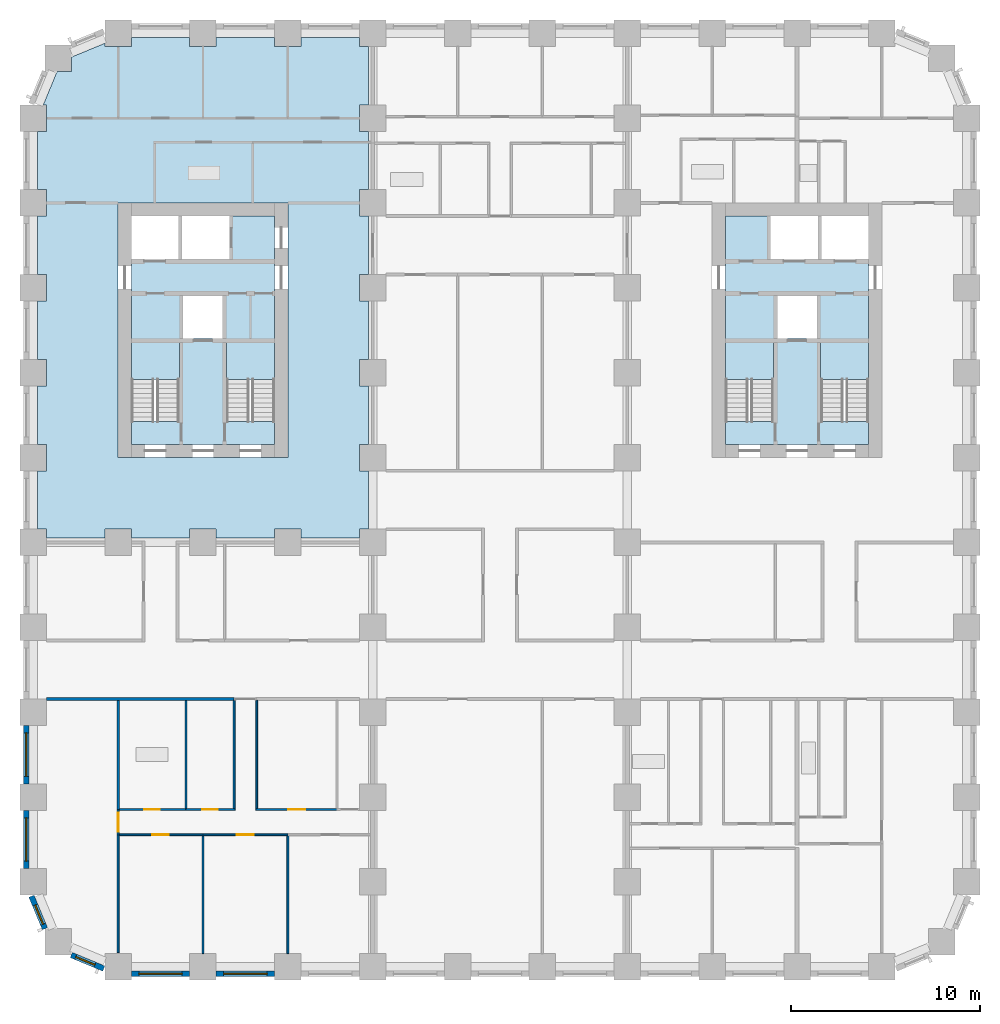
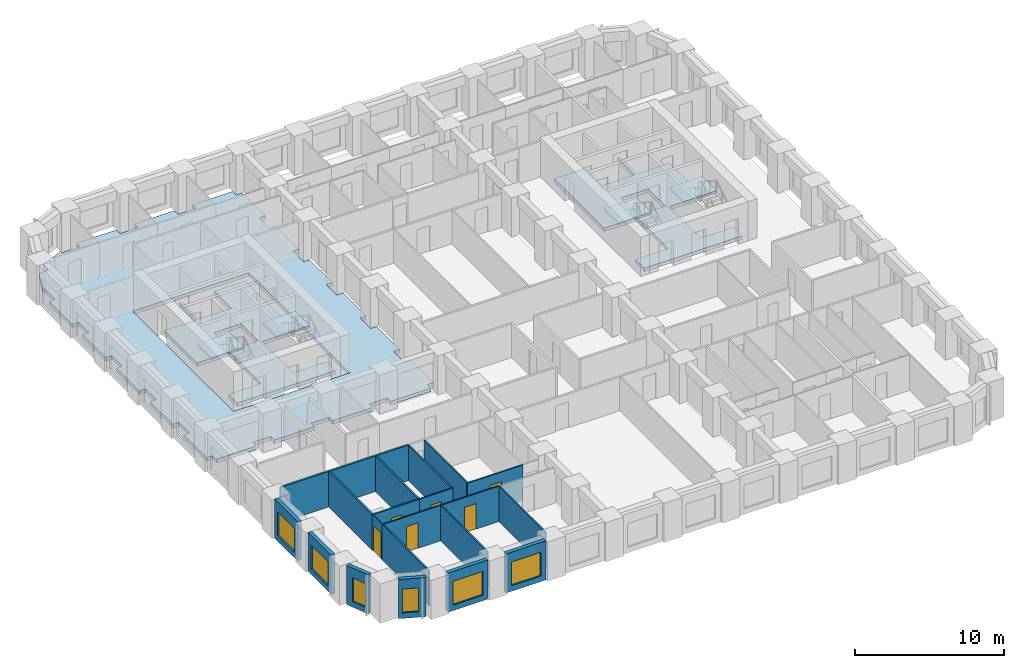
# One storey, part 2 of 13: 20 walls, 7 slabs, 6 doors, 6 windows, 12 openings, 4 elements without a shape of their own.
"""IFC4 building model written with IfcOpenShell, lengths in metres."""

from ifc_helpers import new_model, si_unit, direction, frame, frame_2d, origin, place, context, subcontext, project, spatial, polyline, rectangle, outline, extrude, material, layer, layer_set, type_object, element, fill, aggregate, save


model = new_model("IFC4")

# Units and contexts
model_context = context("Model", 3, precision=1e-05, world=origin(), true_north=direction((0.0, 1.0)))
body_context = subcontext(model_context, "Body", "Model", "MODEL_VIEW")
ifc_project = project(units=[si_unit("LENGTHUNIT", "METRE"), si_unit("AREAUNIT", "SQUARE_METRE"), si_unit("VOLUMEUNIT", "CUBIC_METRE"), si_unit("PLANEANGLEUNIT", "RADIAN"), si_unit("MASSUNIT", "GRAM", prefix="KILO")], contexts=[model_context])

# Site, building, storey
site_placement = place(None, origin())
site = spatial("IfcSite", under=ifc_project, at=site_placement, CompositionType="ELEMENT")
building_placement = place(site_placement, origin())
building = spatial("IfcBuilding", under=site, at=building_placement, Name="Girih Gate Residences", CompositionType="ELEMENT")
storey_placement = place(building_placement, frame((0.0, 0.0, 49.60009765625)))
storey = spatial("IfcBuildingStorey", under=building, at=storey_placement, Name="L12", CompositionType="ELEMENT", Elevation=49.60009765625)

# Slabs
ifc_material_1 = material(Name="Concrete C40/50", Category="concrete")
ifc_layer_1 = layer(ifc_material_1, 0.300048828125)
ifc_layer_set_1 = layer_set([ifc_layer_1], Name="Core floor slab 300")
slab_type_1 = type_object("IfcSlabType", Name="Core floor slab 300", PredefinedType="FLOOR", material=ifc_layer_set_1)
slab_1_placement = place(storey_placement, frame((0.0, 0.0, -0.300048828125)))
element("IfcSlab", 1, at=slab_1_placement, inside=storey, type_object=slab_type_1, Name="L12 W core floor", PredefinedType="FLOOR", context=body_context, shape_type="SweptSolid", body=[
    extrude(outline(polyline([(12.800048828125, 27.699951171875), (5.199951171875, 27.699951171875), (5.199951171875, 28.900634765625), (7.75, 28.900634765625), (7.75, 33.10009765625), (5.199951171875, 33.10009765625), (5.199951171875, 37.5), (7.699951171875, 37.5), (7.699951171875, 39.800048828125), (7.89990234375, 39.800048828125), (7.89990234375, 37.5), (10.39990234375, 37.5), (10.39990234375, 39.800048828125), (12.800048828125, 39.800048828125), (12.800048828125, 33.10009765625), (10.25, 33.10009765625), (10.25, 28.900634765625), (12.800048828125, 28.900634765625), (12.800048828125, 27.699951171875)]), holes=[polyline([(7.949951171875, 33.300048828125), (10.050048828125, 33.300048828125), (10.050048828125, 35.60009765625), (7.949951171875, 35.60009765625), (7.949951171875, 33.300048828125)])]), origin(), (0.0, 0.0, 1.0), 0.300048828125),
])
slab_2_placement = place(storey_placement, frame((0.0, 0.0, -0.300048828125)))
element("IfcSlab", 2, at=slab_2_placement, inside=storey, type_object=slab_type_1, Name="L12 E core floor", PredefinedType="FLOOR", context=body_context, shape_type="SweptSolid", body=[
    extrude(outline(polyline([(44.300048828125, 27.699951171875), (36.699951171875, 27.699951171875), (36.699951171875, 28.900634765625), (39.25, 28.900634765625), (39.25, 33.10009765625), (36.699951171875, 33.10009765625), (36.699951171875, 39.800048828125), (39.10009765625, 39.800048828125), (39.10009765625, 37.5), (41.60009765625, 37.5), (41.60009765625, 39.800048828125), (41.800048828125, 39.800048828125), (41.800048828125, 37.5), (44.300048828125, 37.5), (44.300048828125, 33.10009765625), (41.75, 33.10009765625), (41.75, 28.900634765625), (44.300048828125, 28.900634765625), (44.300048828125, 27.699951171875)]), holes=[polyline([(39.449951171875, 33.300048828125), (41.550048828125, 33.300048828125), (41.550048828125, 35.60009765625), (39.449951171875, 35.60009765625), (39.449951171875, 33.300048828125)])]), origin(), (0.0, 0.0, 1.0), 0.300048828125),
])
ifc_layer_2 = layer(ifc_material_1, 0.300048828125)
ifc_layer_set_2 = layer_set([ifc_layer_2], Name="Floor slab PT 300 Concrete C40/50")
slab_type_2 = type_object("IfcSlabType", Name="Floor slab PT 300 Concrete C40/50", PredefinedType="FLOOR", material=ifc_layer_set_2)
slab_3_placement = place(storey_placement, frame((0.0, 0.0, -0.300048828125)))
element("IfcSlab", 3, at=slab_3_placement, inside=storey, type_object=slab_type_2, Name="Floor slab L12 3", PredefinedType="FLOOR", context=body_context, shape_type="SweptSolid", body=[
    extrude(outline(polyline([(0.22509765625, 26.300048828125), (0.22509765625, 23.199951171875), (0.699951171875, 23.199951171875), (0.699951171875, 22.72509765625), (3.800048828125, 22.72509765625), (3.800048828125, 23.199951171875), (5.199951171875, 23.199951171875), (5.199951171875, 22.72509765625), (8.300048828125, 22.72509765625), (8.300048828125, 23.199951171875), (9.699951171875, 23.199951171875), (9.699951171875, 22.72509765625), (12.800048828125, 22.72509765625), (12.800048828125, 23.199951171875), (14.199951171875, 23.199951171875), (14.199951171875, 22.72509765625), (17.300048828125, 22.72509765625), (17.300048828125, 23.199951171875), (17.77490234375, 23.199951171875), (17.77490234375, 26.300048828125), (17.300048828125, 26.300048828125), (17.300048828125, 27.699951171875), (17.77490234375, 27.699951171875), (17.77490234375, 30.800048828125), (17.300048828125, 30.800048828125), (17.300048828125, 32.199951171875), (17.77490234375, 32.199951171875), (17.77490234375, 35.300048828125), (17.300048828125, 35.300048828125), (17.300048828125, 36.699951171875), (17.77490234375, 36.699951171875), (17.77490234375, 39.800048828125), (17.300048828125, 39.800048828125), (17.300048828125, 41.199951171875), (17.77490234375, 41.199951171875), (17.77490234375, 44.300048828125), (17.300048828125, 44.300048828125), (17.300048828125, 45.699951171875), (17.77490234375, 45.699951171875), (17.77490234375, 48.800048828125), (17.300048828125, 48.800048828125), (17.300048828125, 49.27490234375), (14.199951171875, 49.27490234375), (14.199951171875, 48.800048828125), (12.800048828125, 48.800048828125), (12.800048828125, 49.27490234375), (9.699951171875, 49.27490234375), (9.699951171875, 48.800048828125), (8.300048828125, 48.800048828125), (8.300048828125, 49.27490234375), (5.199951171875, 49.27490234375), (5.199951171875, 48.800048828125), (3.800048828125, 48.800048828125), (3.800048828125, 48.966552734375), (2.01806640625, 48.228271484375), (2.01806640625, 47.48193359375), (1.271728515625, 47.48193359375), (0.533447265625, 45.699951171875), (0.699951171875, 45.699951171875), (0.699951171875, 44.300048828125), (0.22509765625, 44.300048828125), (0.22509765625, 41.199951171875), (0.699951171875, 41.199951171875), (0.699951171875, 39.800048828125), (0.22509765625, 39.800048828125), (0.22509765625, 36.699951171875), (0.699951171875, 36.699951171875), (0.699951171875, 35.300048828125), (0.22509765625, 35.300048828125), (0.22509765625, 32.199951171875), (0.699951171875, 32.199951171875), (0.699951171875, 30.800048828125), (0.22509765625, 30.800048828125), (0.22509765625, 27.699951171875), (0.699951171875, 27.699951171875), (0.699951171875, 26.300048828125), (0.22509765625, 26.300048828125)]), holes=[polyline([(13.5, 40.5), (13.5, 27.0), (4.5, 27.0), (4.5, 40.5), (13.5, 40.5)])]), origin(), (0.0, 0.0, 1.0), 0.300048828125),
])

# Stair, slab
stair_type = type_object("IfcStairType", Name="Exit stair", PredefinedType="HALF_TURN_STAIR", material=ifc_material_1)
stair_1_placement = place(storey_placement, origin())
stair_1 = element("IfcStair", 4, at=stair_1_placement, inside=storey, type_object=stair_type, Name="L12 Exit Stair ST-W1", PredefinedType="HALF_TURN_STAIR")
ifc_layer_3 = layer(ifc_material_1, 0.199951171875)
ifc_layer_set_3 = layer_set([ifc_layer_3], Name="Stair landing 200")
slab_type_3 = type_object("IfcSlabType", Name="Stair landing 200", PredefinedType="LANDING", material=ifc_layer_set_3)
slab_4_placement = place(storey_placement, frame((0.0, 0.0, 1.39990234375)))
slab_4 = element("IfcSlab", 5, at=slab_4_placement, type_object=slab_type_3, Name="ST-W1 landing 1", PredefinedType="LANDING", context=body_context, shape_type="SweptSolid", body=[
    extrude(outline(polyline([(7.75, 31.14990234375), (7.75, 33.10009765625), (5.199951171875, 33.10009765625), (5.199951171875, 31.14990234375), (7.75, 31.14990234375)])), origin(), (0.0, 0.0, 1.0), 0.199951171875),
])
aggregate(stair_1, [slab_4])

stair_2_placement = place(storey_placement, origin())
stair_2 = element("IfcStair", 6, at=stair_2_placement, inside=storey, type_object=stair_type, Name="L12 Exit Stair ST-W2", PredefinedType="HALF_TURN_STAIR")
slab_5_placement = place(storey_placement, frame((0.0, 0.0, 1.39990234375)))
slab_5 = element("IfcSlab", 7, at=slab_5_placement, type_object=slab_type_3, Name="ST-W2 landing 1", PredefinedType="LANDING", context=body_context, shape_type="SweptSolid", body=[
    extrude(outline(polyline([(12.800048828125, 31.14990234375), (12.800048828125, 33.10009765625), (10.25, 33.10009765625), (10.25, 31.14990234375), (12.800048828125, 31.14990234375)])), origin(), (0.0, 0.0, 1.0), 0.199951171875),
])
aggregate(stair_2, [slab_5])

stair_3_placement = place(storey_placement, origin())
stair_3 = element("IfcStair", 8, at=stair_3_placement, inside=storey, type_object=stair_type, Name="L12 Exit Stair ST-E1", PredefinedType="HALF_TURN_STAIR")
slab_6_placement = place(storey_placement, frame((0.0, 0.0, 1.39990234375)))
slab_6 = element("IfcSlab", 9, at=slab_6_placement, type_object=slab_type_3, Name="ST-E1 landing 1", PredefinedType="LANDING", context=body_context, shape_type="SweptSolid", body=[
    extrude(outline(polyline([(44.300048828125, 31.14990234375), (44.300048828125, 33.10009765625), (41.75, 33.10009765625), (41.75, 31.14990234375), (44.300048828125, 31.14990234375)])), origin(), (0.0, 0.0, 1.0), 0.199951171875),
])
aggregate(stair_3, [slab_6])

stair_4_placement = place(storey_placement, origin())
stair_4 = element("IfcStair", 10, at=stair_4_placement, inside=storey, type_object=stair_type, Name="L12 Exit Stair ST-E2", PredefinedType="HALF_TURN_STAIR")
slab_7_placement = place(storey_placement, frame((0.0, 0.0, 1.39990234375)))
slab_7 = element("IfcSlab", 11, at=slab_7_placement, type_object=slab_type_3, Name="ST-E2 landing 1", PredefinedType="LANDING", context=body_context, shape_type="SweptSolid", body=[
    extrude(outline(polyline([(39.25, 31.14990234375), (39.25, 33.10009765625), (36.699951171875, 33.10009765625), (36.699951171875, 31.14990234375), (39.25, 31.14990234375)])), origin(), (0.0, 0.0, 1.0), 0.199951171875),
])
aggregate(stair_4, [slab_7])

# Walls
ifc_material_2 = material(Name="Gypsum board on steel studs", Category="steel")
ifc_layer_4 = layer(ifc_material_2, 0.14990234375)
ifc_layer_set_4 = layer_set([ifc_layer_4], Name="Compartment wall 150 mm")
wall_type_1 = type_object("IfcWallType", Name="Compartment wall 150 mm", PredefinedType="PARTITIONING", material=ifc_layer_set_4)
wall_1_placement = place(storey_placement, frame((0.699951171875, 14.199951171875, 0.0), z_axis=(0.0, 0.0, 1.0), x_axis=(1.0, 0.0, 0.0)))
element("IfcWall", 12, at=wall_1_placement, inside=storey, type_object=wall_type_1, Name="L12 partition", PredefinedType="PARTITIONING", context=body_context, shape_type="SweptSolid", body=[
    extrude(rectangle(XDim=9.949951171875, YDim=0.14990234375, at=frame_2d((4.97509765625, 0.0))), origin(), (0.0, 0.0, 1.0), 2.89990234375),
])
ifc_layer_5 = layer(ifc_material_2, 0.10009765625)
ifc_layer_set_5 = layer_set([ifc_layer_5], Name="Partition 100 mm")
wall_type_2 = type_object("IfcWallType", Name="Partition 100 mm", PredefinedType="PARTITIONING", material=ifc_layer_set_5)
wall_2_placement = place(storey_placement, frame((9.0, 0.699951171875, 0.0), z_axis=(0.0, 0.0, 1.0), x_axis=(0.0, 1.0, 0.0)))
element("IfcWall", 13, at=wall_2_placement, inside=storey, type_object=wall_type_2, Name="L12 partition", PredefinedType="PARTITIONING", context=body_context, shape_type="SweptSolid", body=[
    extrude(rectangle(XDim=6.25, YDim=0.10009765625, at=frame_2d((3.125, 0.0))), origin(), (0.0, 0.0, 1.0), 2.89990234375),
])

# Wall, opening, door
wall_3_placement = place(storey_placement, frame((9.0, 7.0, 0.0), z_axis=(0.0, 0.0, 1.0), x_axis=(-1.0, 0.0, 0.0)))
wall_3 = element("IfcWall", 14, at=wall_3_placement, inside=storey, type_object=wall_type_2, Name="L12 partition", PredefinedType="PARTITIONING", context=body_context, shape_type="SweptSolid", body=[
    extrude(rectangle(XDim=4.449951171875, YDim=0.10009765625, at=frame_2d((2.22509765625, 0.0))), origin(), (0.0, 0.0, 1.0), 2.89990234375),
])
opening_1_placement = place(wall_3_placement, frame((1.800048828125, 0.0, 0.0)))
opening_1 = element("IfcOpeningElement", 15, at=opening_1_placement, cuts=wall_3, Name="Opening A12-002", PredefinedType="OPENING", context=body_context, shape_type="SweptSolid", body=[
    extrude(rectangle(XDim=0.89990234375, YDim=2.10009765625, at=frame_2d((0.449951171875, 1.050048828125))), frame((0.0, 0.06005859375, 0.0), z_axis=(0.0, -1.0, 0.0), x_axis=(1.0, 0.0, 0.0)), (0.0, 0.0, 1.0), 0.1201171875),
])
ifc_material_3 = material(Name="Timber", Category="wood")
door_type_1 = type_object("IfcDoorType", Name="Bedroom door 900x2100", OperationType="NOTDEFINED", PredefinedType="DOOR", material=ifc_material_3)
door_1_placement = place(opening_1_placement, origin())
door_1 = element("IfcDoor", 16, at=door_1_placement, inside=storey, type_object=door_type_1, Name="Door A12-002", OperationType="SINGLE_SWING_RIGHT", OverallHeight=2.10009765625, OverallWidth=0.89990234375, PredefinedType="DOOR", context=body_context, shape_type="SweptSolid", body=[
    extrude(rectangle(XDim=0.89990234375, YDim=2.10009765625, at=frame_2d((0.449951171875, 1.050048828125))), frame((0.0, 0.02490234375, 0.0), z_axis=(0.0, -1.0, 0.0), x_axis=(1.0, 0.0, 0.0)), (0.0, 0.0, 1.0), 0.050048828125),
])
fill(opening_1, door_1)

# Walls
wall_4_placement = place(storey_placement, frame((4.5, 0.757568359375, 0.0), z_axis=(0.0, 0.0, 1.0), x_axis=(0.0, 1.0, 0.0)))
element("IfcWall", 17, at=wall_4_placement, inside=storey, type_object=wall_type_2, Name="L12 partition", PredefinedType="PARTITIONING", context=body_context, shape_type="SweptSolid", body=[
    extrude(rectangle(XDim=6.242431640625, YDim=0.10009765625, at=frame_2d((3.12109375, 0.0))), origin(), (0.0, 0.0, 1.0), 2.89990234375),
])
wall_5_placement = place(storey_placement, frame((13.5, 0.699951171875, 0.0), z_axis=(0.0, 0.0, 1.0), x_axis=(0.0, 1.0, 0.0)))
element("IfcWall", 18, at=wall_5_placement, inside=storey, type_object=wall_type_2, Name="L12 partition", PredefinedType="PARTITIONING", context=body_context, shape_type="SweptSolid", body=[
    extrude(rectangle(XDim=6.25, YDim=0.10009765625, at=frame_2d((3.125, 0.0))), origin(), (0.0, 0.0, 1.0), 2.89990234375),
])

# Wall, opening, door
wall_6_placement = place(storey_placement, frame((13.5, 7.0, 0.0), z_axis=(0.0, 0.0, 1.0), x_axis=(-1.0, 0.0, 0.0)))
wall_6 = element("IfcWall", 19, at=wall_6_placement, inside=storey, type_object=wall_type_2, Name="L12 partition", PredefinedType="PARTITIONING", context=body_context, shape_type="SweptSolid", body=[
    extrude(rectangle(XDim=4.5, YDim=0.10009765625, at=frame_2d((2.25, 0.0))), origin(), (0.0, 0.0, 1.0), 2.89990234375),
])
opening_2_placement = place(wall_6_placement, frame((1.800048828125, 0.0, 0.0)))
opening_2 = element("IfcOpeningElement", 20, at=opening_2_placement, cuts=wall_6, Name="Opening A12-003", PredefinedType="OPENING", context=body_context, shape_type="SweptSolid", body=[
    extrude(rectangle(XDim=0.89990234375, YDim=2.10009765625, at=frame_2d((0.449951171875, 1.050048828125))), frame((0.0, 0.06005859375, 0.0), z_axis=(0.0, -1.0, 0.0), x_axis=(1.0, 0.0, 0.0)), (0.0, 0.0, 1.0), 0.1201171875),
])
door_2_placement = place(opening_2_placement, origin())
door_2 = element("IfcDoor", 21, at=door_2_placement, inside=storey, type_object=door_type_1, Name="Door A12-003", OperationType="SINGLE_SWING_LEFT", OverallHeight=2.10009765625, OverallWidth=0.89990234375, PredefinedType="DOOR", context=body_context, shape_type="SweptSolid", body=[
    extrude(rectangle(XDim=0.89990234375, YDim=2.10009765625, at=frame_2d((0.449951171875, 1.050048828125))), frame((0.0, 0.02490234375, 0.0), z_axis=(0.0, -1.0, 0.0), x_axis=(1.0, 0.0, 0.0)), (0.0, 0.0, 1.0), 0.050048828125),
])
fill(opening_2, door_2)

# Wall
wall_7_placement = place(storey_placement, frame((11.85009765625, 8.389892578125, 0.0), z_axis=(0.0, 0.0, 1.0), x_axis=(0.0, 1.0, 0.0)))
element("IfcWall", 22, at=wall_7_placement, inside=storey, type_object=wall_type_2, Name="L12 partition", PredefinedType="PARTITIONING", context=body_context, shape_type="SweptSolid", body=[
    extrude(rectangle(XDim=5.735107421875, YDim=0.10009765625, at=frame_2d((2.86767578125, 0.0))), origin(), (0.0, 0.0, 1.0), 2.89990234375),
])

# Wall, opening, door
wall_8_placement = place(storey_placement, frame((11.800048828125, 8.340087890625, 0.0), z_axis=(0.0, 0.0, 1.0), x_axis=(1.0, 0.0, 0.0)))
wall_8 = element("IfcWall", 23, at=wall_8_placement, inside=storey, type_object=wall_type_2, Name="L12 partition", PredefinedType="PARTITIONING", context=body_context, shape_type="SweptSolid", body=[
    extrude(rectangle(XDim=4.307373046875, YDim=0.10009765625, at=frame_2d((2.15380859375, 0.0))), origin(), (0.0, 0.0, 1.0), 2.89990234375),
])
opening_3_placement = place(wall_8_placement, frame((1.728759765625, 0.0, 0.0)))
opening_3 = element("IfcOpeningElement", 24, at=opening_3_placement, cuts=wall_8, Name="Opening A12-005", PredefinedType="OPENING", context=body_context, shape_type="SweptSolid", body=[
    extrude(rectangle(XDim=0.89990234375, YDim=2.10009765625, at=frame_2d((0.449951171875, 1.050048828125))), frame((0.0, 0.06005859375, 0.0), z_axis=(0.0, -1.0, 0.0), x_axis=(1.0, 0.0, 0.0)), (0.0, 0.0, 1.0), 0.1201171875),
])
door_type_2 = type_object("IfcDoorType", Name="Kitchen door 900x2100", OperationType="NOTDEFINED", PredefinedType="DOOR", material=ifc_material_3)
door_3_placement = place(opening_3_placement, origin())
door_3 = element("IfcDoor", 25, at=door_3_placement, inside=storey, type_object=door_type_2, Name="Door A12-005", OperationType="SINGLE_SWING_RIGHT", OverallHeight=2.10009765625, OverallWidth=0.89990234375, PredefinedType="DOOR", context=body_context, shape_type="SweptSolid", body=[
    extrude(rectangle(XDim=0.89990234375, YDim=2.10009765625, at=frame_2d((0.449951171875, 1.050048828125))), frame((0.0, 0.02490234375, 0.0), z_axis=(0.0, -1.0, 0.0), x_axis=(1.0, 0.0, 0.0)), (0.0, 0.0, 1.0), 0.050048828125),
])
fill(opening_3, door_3)

wall_9_placement = place(storey_placement, frame((4.5, 7.0, 0.0), z_axis=(0.0, 0.0, 1.0), x_axis=(0.0, 1.0, 0.0)))
wall_9 = element("IfcWall", 26, at=wall_9_placement, inside=storey, type_object=wall_type_2, Name="L12 partition", PredefinedType="PARTITIONING", context=body_context, shape_type="SweptSolid", body=[
    extrude(rectangle(XDim=1.340087890625, YDim=0.10009765625, at=frame_2d((0.669921875, 0.0))), origin(), (0.0, 0.0, 1.0), 2.89990234375),
])
opening_4_placement = place(wall_9_placement, frame((0.169921875, 0.0, 0.0)))
opening_4 = element("IfcOpeningElement", 27, at=opening_4_placement, cuts=wall_9, Name="Opening A12-006", PredefinedType="OPENING", context=body_context, shape_type="SweptSolid", body=[
    extrude(rectangle(XDim=1.0, YDim=2.10009765625, at=frame_2d((0.5, 1.050048828125))), frame((0.0, 0.06005859375, 0.0), z_axis=(0.0, -1.0, 0.0), x_axis=(1.0, 0.0, 0.0)), (0.0, 0.0, 1.0), 0.1201171875),
])
door_type_3 = type_object("IfcDoorType", Name="Living room door 1000x2100", OperationType="NOTDEFINED", PredefinedType="DOOR", material=ifc_material_3)
door_4_placement = place(opening_4_placement, origin())
door_4 = element("IfcDoor", 28, at=door_4_placement, inside=storey, type_object=door_type_3, Name="Door A12-006", OperationType="SINGLE_SWING_RIGHT", OverallHeight=2.10009765625, OverallWidth=1.0, PredefinedType="DOOR", context=body_context, shape_type="SweptSolid", body=[
    extrude(rectangle(XDim=1.0, YDim=2.10009765625, at=frame_2d((0.5, 1.050048828125))), frame((0.0, 0.02490234375, 0.0), z_axis=(0.0, -1.0, 0.0), x_axis=(1.0, 0.0, 0.0)), (0.0, 0.0, 1.0), 0.050048828125),
])
fill(opening_4, door_4)

wall_10_placement = place(storey_placement, frame((8.0986328125, 8.340087890625, 0.0), z_axis=(0.0, 0.0, 1.0), x_axis=(1.0, 0.0, 0.0)))
wall_10 = element("IfcWall", 29, at=wall_10_placement, inside=storey, type_object=wall_type_2, Name="L12 partition", PredefinedType="PARTITIONING", context=body_context, shape_type="SweptSolid", body=[
    extrude(rectangle(XDim=2.601318359375, YDim=0.10009765625, at=frame_2d((1.30078125, 0.0))), origin(), (0.0, 0.0, 1.0), 2.89990234375),
])
opening_5_placement = place(wall_10_placement, frame((0.875732421875, 0.0, 0.0)))
opening_5 = element("IfcOpeningElement", 30, at=opening_5_placement, cuts=wall_10, Name="Opening A12-008", PredefinedType="OPENING", context=body_context, shape_type="SweptSolid", body=[
    extrude(rectangle(XDim=0.800048828125, YDim=2.10009765625, at=frame_2d((0.39990234375, 1.050048828125))), frame((0.0, 0.06005859375, 0.0), z_axis=(0.0, -1.0, 0.0), x_axis=(1.0, 0.0, 0.0)), (0.0, 0.0, 1.0), 0.1201171875),
])
door_type_4 = type_object("IfcDoorType", Name="Store door 800x2100", OperationType="NOTDEFINED", PredefinedType="DOOR", material=ifc_material_3)
door_5_placement = place(opening_5_placement, origin())
door_5 = element("IfcDoor", 31, at=door_5_placement, inside=storey, type_object=door_type_4, Name="Door A12-008", OperationType="SINGLE_SWING_LEFT", OverallHeight=2.10009765625, OverallWidth=0.800048828125, PredefinedType="DOOR", context=body_context, shape_type="SweptSolid", body=[
    extrude(rectangle(XDim=0.800048828125, YDim=2.10009765625, at=frame_2d((0.39990234375, 1.050048828125))), frame((0.0, 0.02490234375, 0.0), z_axis=(0.0, -1.0, 0.0), x_axis=(1.0, 0.0, 0.0)), (0.0, 0.0, 1.0), 0.050048828125),
])
fill(opening_5, door_5)

# Wall
wall_11_placement = place(storey_placement, frame((10.64990234375, 8.389892578125, 0.0), z_axis=(0.0, 0.0, 1.0), x_axis=(0.0, 1.0, 0.0)))
element("IfcWall", 32, at=wall_11_placement, inside=storey, type_object=wall_type_2, Name="L12 partition", PredefinedType="PARTITIONING", context=body_context, shape_type="SweptSolid", body=[
    extrude(rectangle(XDim=5.735107421875, YDim=0.10009765625, at=frame_2d((2.86767578125, 0.0))), origin(), (0.0, 0.0, 1.0), 2.89990234375),
])

# Wall, opening, window
ifc_material_4 = material(Name="Precast concrete C50/60", Category="concrete")
ifc_layer_6 = layer(ifc_material_4, 0.080078125, Name="Outer leaf")
ifc_material_5 = material(Name="Rigid PIR insulation")
ifc_layer_7 = layer(ifc_material_5, 0.14990234375, Name="Insulation")
ifc_material_6 = material(Name="Precast concrete C40/50", Category="concrete")
ifc_layer_8 = layer(ifc_material_6, 0.070068359375, Name="Inner leaf")
ifc_layer_set_6 = layer_set([ifc_layer_6, ifc_layer_7, ifc_layer_8], Name="Precast concrete C50/60 external wall 300")
wall_type_3 = type_object("IfcWallType", Name="Precast concrete C50/60 external wall 300", PredefinedType="SOLIDWALL", material=ifc_layer_set_6)
wall_12_placement = place(storey_placement, frame((0.62158203125, 2.01953125, 0.0), z_axis=(0.0, 0.0, 1.0), x_axis=(-0.38262540684, 0.923903565336, 0.0)))
wall_12 = element("IfcWall", 33, at=wall_12_placement, inside=storey, type_object=wall_type_3, Name="External wall SW0000_0045.0", PredefinedType="SOLIDWALL", context=body_context, shape_type="SweptSolid", body=[
    extrude(rectangle(XDim=1.864990234375, YDim=0.300048828125, at=frame_2d((0.9326171875, 0.0))), origin(), (0.0, 0.0, 1.0), 3.199951171875),
])
opening_6_placement = place(wall_12_placement, frame((0.257568359375, 0.0, 0.449951171875)))
opening_6 = element("IfcOpeningElement", 34, at=opening_6_placement, cuts=wall_12, Name="Opening W-2C", PredefinedType="OPENING", context=body_context, shape_type="SweptSolid", body=[
    extrude(rectangle(XDim=1.10009765625, YDim=1.949951171875, at=frame_2d((0.550048828125, 0.97509765625))), frame((0.0, 0.159912109375, 0.0), z_axis=(0.0, -1.0, 0.0), x_axis=(1.0, 0.0, 0.0)), (0.0, 0.0, 1.0), 0.320068359375),
])
ifc_material_7 = material(Name="Double glazing in aluminium frame", Category="aluminium")
window_type_1 = type_object("IfcWindowType", Name="Window W-2C 1100x1950", PartitioningType="SINGLE_PANEL", PredefinedType="WINDOW", material=ifc_material_7)
window_1_placement = place(opening_6_placement, origin())
window_1 = element("IfcWindow", 35, at=window_1_placement, inside=storey, type_object=window_type_1, Name="Window W-2C SW0000_0045.0", OverallHeight=1.949951171875, OverallWidth=1.10009765625, PartitioningType="SINGLE_PANEL", PredefinedType="WINDOW", context=body_context, shape_type="SweptSolid", body=[
    extrude(rectangle(XDim=1.10009765625, YDim=1.949951171875, at=frame_2d((0.550048828125, 0.97509765625))), frame((0.0, 0.030029296875, 0.0), z_axis=(0.0, -1.0, 0.0), x_axis=(1.0, 0.0, 0.0)), (0.0, 0.0, 1.0), 0.06005859375),
])
fill(opening_6, window_1)

wall_13_placement = place(storey_placement, frame((3.74267578125, -0.09228515625, 0.0), z_axis=(0.0, 0.0, 1.0), x_axis=(-0.923857286003, 0.382737135771, 0.0)))
wall_13 = element("IfcWall", 36, at=wall_13_placement, inside=storey, type_object=wall_type_3, Name="External wall SW0013_0013.0", PredefinedType="SOLIDWALL", context=body_context, shape_type="SweptSolid", body=[
    extrude(rectangle(XDim=1.865234375, YDim=0.300048828125, at=frame_2d((0.9326171875, 0.0))), origin(), (0.0, 0.0, 1.0), 3.199951171875),
])
opening_7_placement = place(wall_13_placement, frame((0.507568359375, 0.0, 0.449951171875)))
opening_7 = element("IfcOpeningElement", 37, at=opening_7_placement, cuts=wall_13, Name="Opening W-2C", PredefinedType="OPENING", context=body_context, shape_type="SweptSolid", body=[
    extrude(rectangle(XDim=1.10009765625, YDim=1.949951171875, at=frame_2d((0.550048828125, 0.97509765625))), frame((0.0, 0.159912109375, 0.0), z_axis=(0.0, -1.0, 0.0), x_axis=(1.0, 0.0, 0.0)), (0.0, 0.0, 1.0), 0.320068359375),
])
window_2_placement = place(opening_7_placement, origin())
window_2 = element("IfcWindow", 38, at=window_2_placement, inside=storey, type_object=window_type_1, Name="Window W-2C SW0013_0013.0", OverallHeight=1.949951171875, OverallWidth=1.10009765625, PartitioningType="SINGLE_PANEL", PredefinedType="WINDOW", context=body_context, shape_type="SweptSolid", body=[
    extrude(rectangle(XDim=1.10009765625, YDim=1.949951171875, at=frame_2d((0.550048828125, 0.97509765625))), frame((0.0, 0.030029296875, 0.0), z_axis=(0.0, -1.0, 0.0), x_axis=(1.0, 0.0, 0.0)), (0.0, 0.0, 1.0), 0.06005859375),
])
fill(opening_7, window_2)

wall_14_placement = place(storey_placement, frame((8.300048828125, -0.375, 0.0), z_axis=(0.0, 0.0, 1.0), x_axis=(-1.0, 0.0, 0.0)))
wall_14 = element("IfcWall", 39, at=wall_14_placement, inside=storey, type_object=wall_type_3, Name="External wall S0045_0000.0", PredefinedType="SOLIDWALL", context=body_context, shape_type="SweptSolid", body=[
    extrude(rectangle(XDim=3.10009765625, YDim=0.300048828125, at=frame_2d((1.550048828125, 0.0))), origin(), (0.0, 0.0, 1.0), 3.199951171875),
])
opening_8_placement = place(wall_14_placement, frame((0.39990234375, 0.0, 0.449951171875)))
opening_8 = element("IfcOpeningElement", 40, at=opening_8_placement, cuts=wall_14, Name="Opening W-1", PredefinedType="OPENING", context=body_context, shape_type="SweptSolid", body=[
    extrude(rectangle(XDim=2.300048828125, YDim=1.949951171875, at=frame_2d((1.14990234375, 0.97509765625))), frame((0.0, 0.159912109375, 0.0), z_axis=(0.0, -1.0, 0.0), x_axis=(1.0, 0.0, 0.0)), (0.0, 0.0, 1.0), 0.320068359375),
])
window_type_2 = type_object("IfcWindowType", Name="Window W-1 2300x1950", PartitioningType="SINGLE_PANEL", PredefinedType="WINDOW", material=ifc_material_7)
window_3_placement = place(opening_8_placement, origin())
window_3 = element("IfcWindow", 41, at=window_3_placement, inside=storey, type_object=window_type_2, Name="Window W-1 S0045_0000.0", OverallHeight=1.949951171875, OverallWidth=2.300048828125, PartitioningType="SINGLE_PANEL", PredefinedType="WINDOW", context=body_context, shape_type="SweptSolid", body=[
    extrude(rectangle(XDim=2.300048828125, YDim=1.949951171875, at=frame_2d((1.14990234375, 0.97509765625))), frame((0.0, 0.030029296875, 0.0), z_axis=(0.0, -1.0, 0.0), x_axis=(1.0, 0.0, 0.0)), (0.0, 0.0, 1.0), 0.06005859375),
])
fill(opening_8, window_3)

wall_15_placement = place(storey_placement, frame((12.800048828125, -0.375, 0.0), z_axis=(0.0, 0.0, 1.0), x_axis=(-1.0, 0.0, 0.0)))
wall_15 = element("IfcWall", 42, at=wall_15_placement, inside=storey, type_object=wall_type_3, Name="External wall S0045_0000.1", PredefinedType="SOLIDWALL", context=body_context, shape_type="SweptSolid", body=[
    extrude(rectangle(XDim=3.10009765625, YDim=0.300048828125, at=frame_2d((1.550048828125, 0.0))), origin(), (0.0, 0.0, 1.0), 3.199951171875),
])
opening_9_placement = place(wall_15_placement, frame((0.39990234375, 0.0, 0.449951171875)))
opening_9 = element("IfcOpeningElement", 43, at=opening_9_placement, cuts=wall_15, Name="Opening W-1", PredefinedType="OPENING", context=body_context, shape_type="SweptSolid", body=[
    extrude(rectangle(XDim=2.300048828125, YDim=1.949951171875, at=frame_2d((1.14990234375, 0.97509765625))), frame((0.0, 0.159912109375, 0.0), z_axis=(0.0, -1.0, 0.0), x_axis=(1.0, 0.0, 0.0)), (0.0, 0.0, 1.0), 0.320068359375),
])
window_4_placement = place(opening_9_placement, origin())
window_4 = element("IfcWindow", 44, at=window_4_placement, inside=storey, type_object=window_type_2, Name="Window W-1 S0045_0000.1", OverallHeight=1.949951171875, OverallWidth=2.300048828125, PartitioningType="SINGLE_PANEL", PredefinedType="WINDOW", context=body_context, shape_type="SweptSolid", body=[
    extrude(rectangle(XDim=2.300048828125, YDim=1.949951171875, at=frame_2d((1.14990234375, 0.97509765625))), frame((0.0, 0.030029296875, 0.0), z_axis=(0.0, -1.0, 0.0), x_axis=(1.0, 0.0, 0.0)), (0.0, 0.0, 1.0), 0.06005859375),
])
fill(opening_9, window_4)

wall_16_placement = place(storey_placement, frame((-0.375, 9.699951171875, 0.0), z_axis=(0.0, 0.0, 1.0), x_axis=(0.0, 1.0, 0.0)))
wall_16 = element("IfcWall", 45, at=wall_16_placement, inside=storey, type_object=wall_type_3, Name="External wall W0000_0450.7", PredefinedType="SOLIDWALL", context=body_context, shape_type="SweptSolid", body=[
    extrude(rectangle(XDim=3.10009765625, YDim=0.300048828125, at=frame_2d((1.550048828125, 0.0))), origin(), (0.0, 0.0, 1.0), 3.199951171875),
])
opening_10_placement = place(wall_16_placement, frame((0.39990234375, 0.0, 0.449951171875)))
opening_10 = element("IfcOpeningElement", 46, at=opening_10_placement, cuts=wall_16, Name="Opening W-1", PredefinedType="OPENING", context=body_context, shape_type="SweptSolid", body=[
    extrude(rectangle(XDim=2.300048828125, YDim=1.949951171875, at=frame_2d((1.14990234375, 0.97509765625))), frame((0.0, 0.159912109375, 0.0), z_axis=(0.0, -1.0, 0.0), x_axis=(1.0, 0.0, 0.0)), (0.0, 0.0, 1.0), 0.320068359375),
])
window_5_placement = place(opening_10_placement, origin())
window_5 = element("IfcWindow", 47, at=window_5_placement, inside=storey, type_object=window_type_2, Name="Window W-1 W0000_0450.7", OverallHeight=1.949951171875, OverallWidth=2.300048828125, PartitioningType="SINGLE_PANEL", PredefinedType="WINDOW", context=body_context, shape_type="SweptSolid", body=[
    extrude(rectangle(XDim=2.300048828125, YDim=1.949951171875, at=frame_2d((1.14990234375, 0.97509765625))), frame((0.0, 0.030029296875, 0.0), z_axis=(0.0, -1.0, 0.0), x_axis=(1.0, 0.0, 0.0)), (0.0, 0.0, 1.0), 0.06005859375),
])
fill(opening_10, window_5)

wall_17_placement = place(storey_placement, frame((-0.375, 5.199951171875, 0.0), z_axis=(0.0, 0.0, 1.0), x_axis=(0.0, 1.0, 0.0)))
wall_17 = element("IfcWall", 48, at=wall_17_placement, inside=storey, type_object=wall_type_3, Name="External wall W0000_0450.8", PredefinedType="SOLIDWALL", context=body_context, shape_type="SweptSolid", body=[
    extrude(rectangle(XDim=3.10009765625, YDim=0.300048828125, at=frame_2d((1.550048828125, 0.0))), origin(), (0.0, 0.0, 1.0), 3.199951171875),
])
opening_11_placement = place(wall_17_placement, frame((0.39990234375, 0.0, 0.449951171875)))
opening_11 = element("IfcOpeningElement", 49, at=opening_11_placement, cuts=wall_17, Name="Opening W-1", PredefinedType="OPENING", context=body_context, shape_type="SweptSolid", body=[
    extrude(rectangle(XDim=2.300048828125, YDim=1.949951171875, at=frame_2d((1.14990234375, 0.97509765625))), frame((0.0, 0.159912109375, 0.0), z_axis=(0.0, -1.0, 0.0), x_axis=(1.0, 0.0, 0.0)), (0.0, 0.0, 1.0), 0.320068359375),
])
window_6_placement = place(opening_11_placement, origin())
window_6 = element("IfcWindow", 50, at=window_6_placement, inside=storey, type_object=window_type_2, Name="Window W-1 W0000_0450.8", OverallHeight=1.949951171875, OverallWidth=2.300048828125, PartitioningType="SINGLE_PANEL", PredefinedType="WINDOW", context=body_context, shape_type="SweptSolid", body=[
    extrude(rectangle(XDim=2.300048828125, YDim=1.949951171875, at=frame_2d((1.14990234375, 0.97509765625))), frame((0.0, 0.030029296875, 0.0), z_axis=(0.0, -1.0, 0.0), x_axis=(1.0, 0.0, 0.0)), (0.0, 0.0, 1.0), 0.06005859375),
])
fill(opening_11, window_6)

# Wall, opening, door
ifc_layer_9 = layer(ifc_material_2, 0.125)
ifc_layer_set_7 = layer_set([ifc_layer_9], Name="Wet room wall 125 mm")
wall_type_4 = type_object("IfcWallType", Name="Wet room wall 125 mm", PredefinedType="PARTITIONING", material=ifc_layer_set_7)
wall_18_placement = place(storey_placement, frame((4.5625, 8.340087890625, 0.0), z_axis=(0.0, 0.0, 1.0), x_axis=(1.0, 0.0, 0.0)))
wall_18 = element("IfcWall", 51, at=wall_18_placement, inside=storey, type_object=wall_type_4, Name="L12 partition", PredefinedType="PARTITIONING", context=body_context, shape_type="SweptSolid", body=[
    extrude(rectangle(XDim=3.5361328125, YDim=0.125, at=frame_2d((1.76806640625, 0.0))), origin(), (0.0, 0.0, 1.0), 2.89990234375),
])
opening_12_placement = place(wall_18_placement, frame((1.3369140625, 0.0, 0.0)))
opening_12 = element("IfcOpeningElement", 52, at=opening_12_placement, cuts=wall_18, Name="Opening A12-001", PredefinedType="OPENING", context=body_context, shape_type="SweptSolid", body=[
    extrude(rectangle(XDim=0.800048828125, YDim=2.10009765625, at=frame_2d((0.39990234375, 1.050048828125))), frame((0.0, 0.072509765625, 0.0), z_axis=(0.0, -1.0, 0.0), x_axis=(1.0, 0.0, 0.0)), (0.0, 0.0, 1.0), 0.14501953125),
])
door_type_5 = type_object("IfcDoorType", Name="Bathroom door 800x2100", OperationType="NOTDEFINED", PredefinedType="DOOR", material=ifc_material_3)
door_6_placement = place(opening_12_placement, origin())
door_6 = element("IfcDoor", 53, at=door_6_placement, inside=storey, type_object=door_type_5, Name="Door A12-001", OperationType="SINGLE_SWING_LEFT", OverallHeight=2.10009765625, OverallWidth=0.800048828125, PredefinedType="DOOR", context=body_context, shape_type="SweptSolid", body=[
    extrude(rectangle(XDim=0.800048828125, YDim=2.10009765625, at=frame_2d((0.39990234375, 1.050048828125))), frame((0.0, 0.02490234375, 0.0), z_axis=(0.0, -1.0, 0.0), x_axis=(1.0, 0.0, 0.0)), (0.0, 0.0, 1.0), 0.050048828125),
])
fill(opening_12, door_6)

# Walls
wall_19_placement = place(storey_placement, frame((4.5, 8.340087890625, 0.0), z_axis=(0.0, 0.0, 1.0), x_axis=(0.0, 1.0, 0.0)))
element("IfcWall", 54, at=wall_19_placement, inside=storey, type_object=wall_type_4, Name="L12 partition", PredefinedType="PARTITIONING", context=body_context, shape_type="SweptSolid", body=[
    extrude(rectangle(XDim=5.784912109375, YDim=0.125, at=frame_2d((2.892578125, 0.0))), origin(), (0.0, 0.0, 1.0), 2.89990234375),
])
wall_20_placement = place(storey_placement, frame((8.09912109375, 8.402587890625, 0.0), z_axis=(0.0, 0.0, 1.0), x_axis=(0.0, 1.0, 0.0)))
element("IfcWall", 55, at=wall_20_placement, inside=storey, type_object=wall_type_4, Name="L12 partition", PredefinedType="PARTITIONING", context=body_context, shape_type="SweptSolid", body=[
    extrude(rectangle(XDim=5.722412109375, YDim=0.125, at=frame_2d((2.861328125, 0.0))), origin(), (0.0, 0.0, 1.0), 2.89990234375),
])

save(model, "model.ifc")
